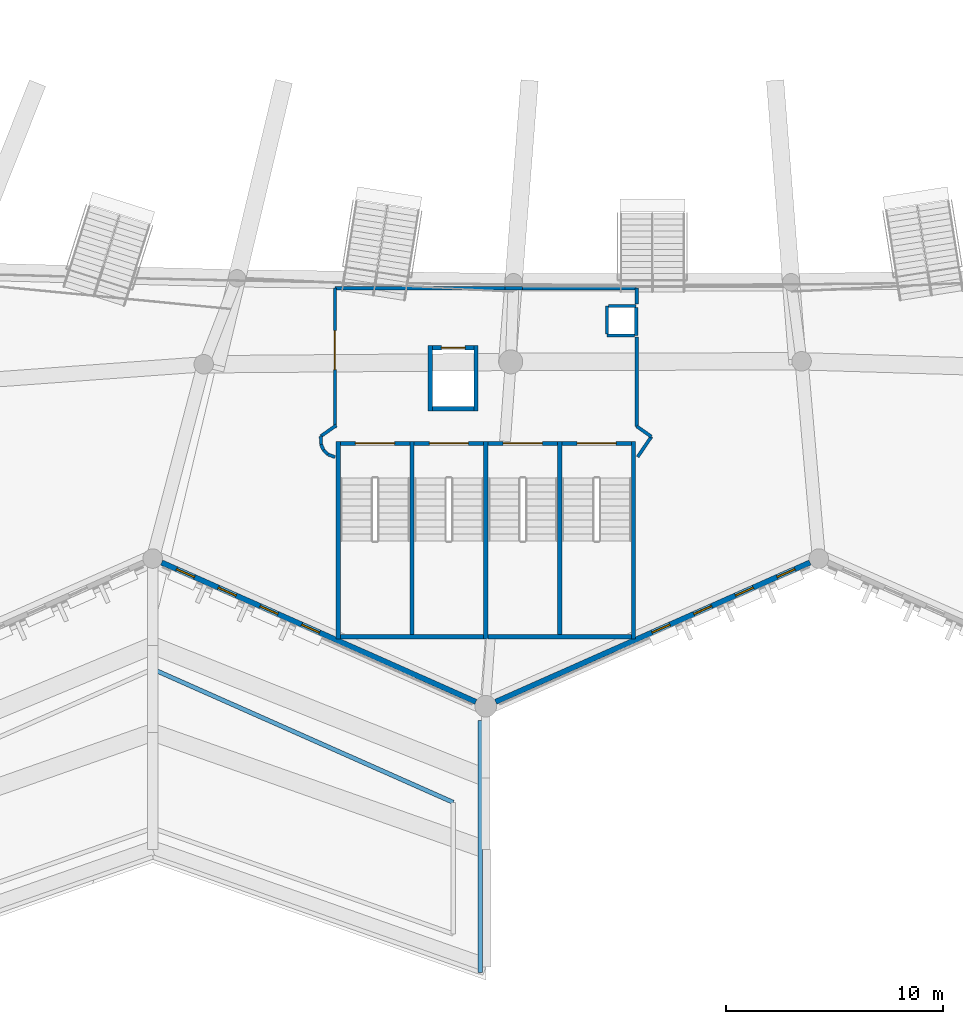
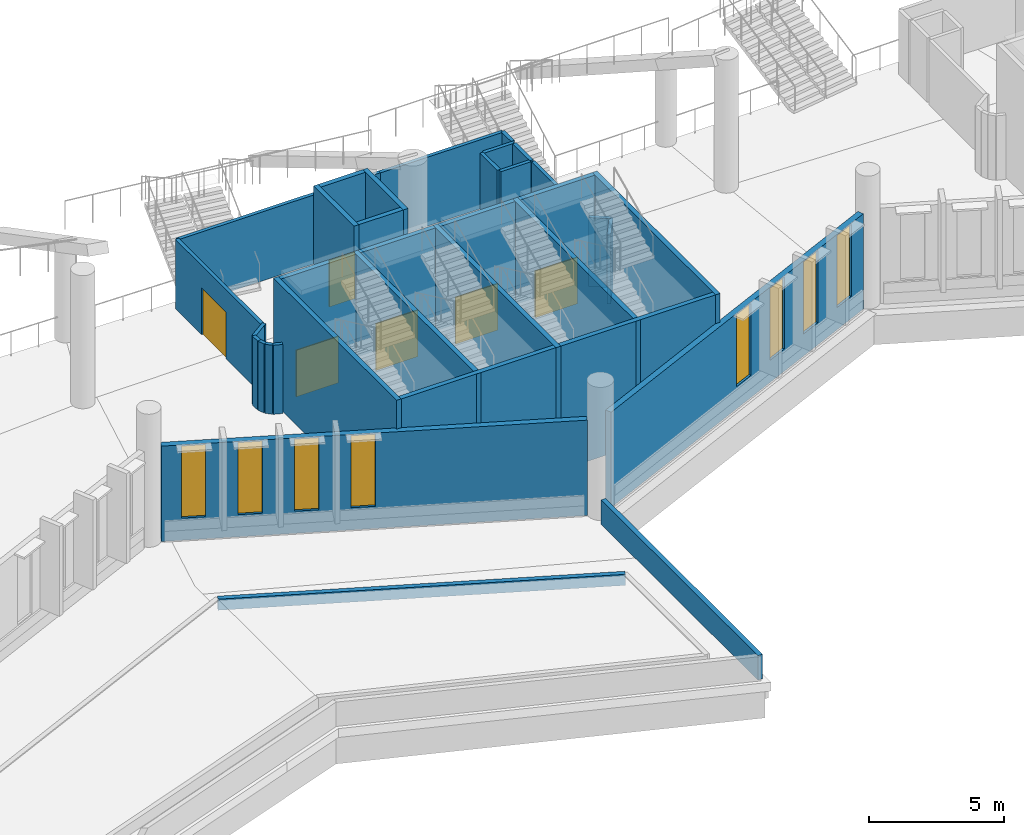
# One storey, part 46 of 173: 36 walls, 8 windows, 6 doors, 14 openings.
"""IFC4 building model written with IfcOpenShell, lengths in metres."""

from ifc_helpers import new_model, si_unit, direction, frame, frame_2d, origin, place, context, subcontext, project, spatial, rectangle, extrude, material, layer, layer_set, type_object, element, fill, save


model = new_model("IFC4")

# Units and contexts
model_context = context("Model", 3, precision=1e-05, world=origin(), true_north=direction((0.0, 1.0)))
body_context = subcontext(model_context, "Body", "Model", "MODEL_VIEW")
ifc_project = project(units=[si_unit("LENGTHUNIT", "METRE"), si_unit("AREAUNIT", "SQUARE_METRE"), si_unit("VOLUMEUNIT", "CUBIC_METRE"), si_unit("PLANEANGLEUNIT", "RADIAN"), si_unit("MASSUNIT", "GRAM", prefix="KILO")], contexts=[model_context])

# Site, building, storey
site_placement = place(None, origin())
site = spatial("IfcSite", under=ifc_project, at=site_placement, CompositionType="ELEMENT")
building_placement = place(site_placement, origin())
building = spatial("IfcBuilding", under=site, at=building_placement, Name="Meseta Stadium", CompositionType="ELEMENT")
storey_placement = place(building_placement, frame((0.0, 0.0, 18.0)))
storey = spatial("IfcBuildingStorey", under=building, at=storey_placement, Name="L03", CompositionType="ELEMENT", Elevation=18.0)

# Walls
ifc_material_1 = material(Name="Concrete C40/50", Category="concrete")
ifc_layer_1 = layer(ifc_material_1, 0.199951171875)
ifc_layer_set_1 = layer_set([ifc_layer_1], Name="Core divider wall 200")
wall_type_1 = type_object("IfcWallType", Name="Core divider wall 200", PredefinedType="SHEAR", material=ifc_layer_set_1)
for number, where, z_axis, x_axis, name in (
    (1, (-11.066650390625, -102.300048828125, 0.0), (0.0, 0.0, 1.0), (0.0, 1.0, 0.0), "Core 24 L03 stair A divider wall"),
    (2, (-4.2666015625, -102.300048828125, 0.0), (0.0, 0.0, 1.0), (0.0, 1.0, 0.0), "Core 24 L03 stair B divider wall"),
):
    element("IfcWall", number, at=place(storey_placement, frame(where, z_axis=z_axis, x_axis=x_axis)), inside=storey, type_object=wall_type_1, Name=name, PredefinedType="SHEAR", context=body_context, shape_type="SweptSolid", body=[
        extrude(rectangle(XDim=9.10009765625, YDim=0.199951171875, at=frame_2d((4.550048828125, 0.0))), origin(), (0.0, 0.0, 1.0), 5.60009765625),
    ])
ifc_material_2 = material(Name="Concrete C40/50", Category="concrete")
ifc_layer_2 = layer(ifc_material_2, 0.199951171875)
ifc_layer_set_2 = layer_set([ifc_layer_2], Name="Core shaft wall 200")
wall_type_2 = type_object("IfcWallType", Name="Core shaft wall 200", PredefinedType="SHEAR", material=ifc_layer_set_2)
for number, where, z_axis, x_axis, name in (
    (3, (-14.466796875, -102.300048828125, 0.0), (0.0, 0.0, 1.0), (0.0, 1.0, 0.0), "Core 24 L03 stair wall A-side"),
    (4, (-7.666748046875, -102.300048828125, 0.0), (0.0, 0.0, 1.0), (0.0, 1.0, 0.0), "Core 24 L03 stair wall shared"),
    (5, (-0.86669921875, -102.300048828125, 0.0), (0.0, 0.0, 1.0), (0.0, 1.0, 0.0), "Core 24 L03 stair wall B-side"),
):
    element("IfcWall", number, at=place(storey_placement, frame(where, z_axis=z_axis, x_axis=x_axis)), inside=storey, type_object=wall_type_2, Name=name, PredefinedType="SHEAR", context=body_context, shape_type="SweptSolid", body=[
        extrude(rectangle(XDim=9.10009765625, YDim=0.199951171875, at=frame_2d((4.550048828125, 0.0))), origin(), (0.0, 0.0, 1.0), 5.60009765625),
    ])
wall_1_placement = place(storey_placement, frame((-14.36669921875, -102.199951171875, 0.0), z_axis=(0.0, 0.0, 1.0), x_axis=(1.0, 0.0, 0.0)))
element("IfcWall", 6, at=wall_1_placement, inside=storey, type_object=wall_type_2, Name="Core 24 L03 stair A outer end wall", PredefinedType="SHEAR", context=body_context, shape_type="SweptSolid", body=[
    extrude(rectangle(XDim=6.60009765625, YDim=0.199951171875, at=frame_2d((3.300048828125, 0.0))), origin(), (0.0, 0.0, 1.0), 5.60009765625),
])
wall_2_placement = place(storey_placement, frame((-7.566650390625, -102.199951171875, 0.0), z_axis=(0.0, 0.0, 1.0), x_axis=(1.0, 0.0, 0.0)))
element("IfcWall", 7, at=wall_2_placement, inside=storey, type_object=wall_type_2, Name="Core 24 L03 stair B outer end wall", PredefinedType="SHEAR", context=body_context, shape_type="SweptSolid", body=[
    extrude(rectangle(XDim=6.599853515625, YDim=0.199951171875, at=frame_2d((3.2998046875, 0.0))), origin(), (0.0, 0.0, 1.0), 5.60009765625),
])

# Wall, opening, door
wall_3_placement = place(storey_placement, frame((-14.36669921875, -93.300048828125, 0.0), z_axis=(0.0, 0.0, 1.0), x_axis=(1.0, 0.0, 0.0)))
wall_3 = element("IfcWall", 8, at=wall_3_placement, inside=storey, type_object=wall_type_2, Name="Core 24 L03 stair A1 inner end wall", PredefinedType="SHEAR", context=body_context, shape_type="SweptSolid", body=[
    extrude(rectangle(XDim=3.199951171875, YDim=0.199951171875, at=frame_2d((1.60009765625, 0.0))), origin(), (0.0, 0.0, 1.0), 5.60009765625),
])
opening_1_placement = place(wall_3_placement, frame((0.699951171875, 0.0, 0.0)))
opening_1 = element("IfcOpeningElement", 9, at=opening_1_placement, cuts=wall_3, Name="Opening D1386", PredefinedType="OPENING", context=body_context, shape_type="SweptSolid", body=[
    extrude(rectangle(XDim=1.800048828125, YDim=2.10009765625, at=frame_2d((0.89990234375, 1.050048828125))), frame((0.0, 0.10986328125, 0.0), z_axis=(0.0, -1.0, 0.0), x_axis=(1.0, 0.0, 0.0)), (0.0, 0.0, 1.0), 0.219970703125),
])
ifc_material_3 = material(Name="Steel", Category="steel")
door_type_1 = type_object("IfcDoorType", Name="Stair door 1800x2100", OperationType="DOUBLE_DOOR_SINGLE_SWING", PredefinedType="DOOR", material=ifc_material_3)
door_1_placement = place(opening_1_placement, origin())
door_1 = element("IfcDoor", 10, at=door_1_placement, inside=storey, type_object=door_type_1, Name="Stair A1 door 24 L03", OperationType="DOUBLE_DOOR_SINGLE_SWING", OverallHeight=2.10009765625, OverallWidth=1.800048828125, PredefinedType="DOOR", context=body_context, shape_type="SweptSolid", body=[
    extrude(rectangle(XDim=1.800048828125, YDim=2.10009765625, at=frame_2d((0.89990234375, 1.050048828125))), frame((0.0, 0.02490234375, 0.0), z_axis=(0.0, -1.0, 0.0), x_axis=(1.0, 0.0, 0.0)), (0.0, 0.0, 1.0), 0.050048828125),
])
fill(opening_1, door_1)

wall_4_placement = place(storey_placement, frame((-10.966796875, -93.300048828125, 0.0), z_axis=(0.0, 0.0, 1.0), x_axis=(1.0, 0.0, 0.0)))
wall_4 = element("IfcWall", 11, at=wall_4_placement, inside=storey, type_object=wall_type_2, Name="Core 24 L03 stair A2 inner end wall", PredefinedType="SHEAR", context=body_context, shape_type="SweptSolid", body=[
    extrude(rectangle(XDim=3.2001953125, YDim=0.199951171875, at=frame_2d((1.60009765625, 0.0))), origin(), (0.0, 0.0, 1.0), 5.60009765625),
])
opening_2_placement = place(wall_4_placement, frame((0.699951171875, 0.0, 0.0)))
opening_2 = element("IfcOpeningElement", 12, at=opening_2_placement, cuts=wall_4, Name="Opening D1387", PredefinedType="OPENING", context=body_context, shape_type="SweptSolid", body=[
    extrude(rectangle(XDim=1.800048828125, YDim=2.10009765625, at=frame_2d((0.89990234375, 1.050048828125))), frame((0.0, 0.10986328125, 0.0), z_axis=(0.0, -1.0, 0.0), x_axis=(1.0, 0.0, 0.0)), (0.0, 0.0, 1.0), 0.219970703125),
])
door_2_placement = place(opening_2_placement, origin())
door_2 = element("IfcDoor", 13, at=door_2_placement, inside=storey, type_object=door_type_1, Name="Stair A2 door 24 L03", OperationType="DOUBLE_DOOR_SINGLE_SWING", OverallHeight=2.10009765625, OverallWidth=1.800048828125, PredefinedType="DOOR", context=body_context, shape_type="SweptSolid", body=[
    extrude(rectangle(XDim=1.800048828125, YDim=2.10009765625, at=frame_2d((0.89990234375, 1.050048828125))), frame((0.0, 0.02490234375, 0.0), z_axis=(0.0, -1.0, 0.0), x_axis=(1.0, 0.0, 0.0)), (0.0, 0.0, 1.0), 0.050048828125),
])
fill(opening_2, door_2)

wall_5_placement = place(storey_placement, frame((-7.566650390625, -93.300048828125, 0.0), z_axis=(0.0, 0.0, 1.0), x_axis=(1.0, 0.0, 0.0)))
wall_5 = element("IfcWall", 14, at=wall_5_placement, inside=storey, type_object=wall_type_2, Name="Core 24 L03 stair B1 inner end wall", PredefinedType="SHEAR", context=body_context, shape_type="SweptSolid", body=[
    extrude(rectangle(XDim=3.199951171875, YDim=0.199951171875, at=frame_2d((1.60009765625, 0.0))), origin(), (0.0, 0.0, 1.0), 5.60009765625),
])
opening_3_placement = place(wall_5_placement, frame((0.699951171875, 0.0, 0.0)))
opening_3 = element("IfcOpeningElement", 15, at=opening_3_placement, cuts=wall_5, Name="Opening D1388", PredefinedType="OPENING", context=body_context, shape_type="SweptSolid", body=[
    extrude(rectangle(XDim=1.800048828125, YDim=2.10009765625, at=frame_2d((0.89990234375, 1.050048828125))), frame((0.0, 0.10986328125, 0.0), z_axis=(0.0, -1.0, 0.0), x_axis=(1.0, 0.0, 0.0)), (0.0, 0.0, 1.0), 0.219970703125),
])
door_3_placement = place(opening_3_placement, origin())
door_3 = element("IfcDoor", 16, at=door_3_placement, inside=storey, type_object=door_type_1, Name="Stair B1 door 24 L03", OperationType="DOUBLE_DOOR_SINGLE_SWING", OverallHeight=2.10009765625, OverallWidth=1.800048828125, PredefinedType="DOOR", context=body_context, shape_type="SweptSolid", body=[
    extrude(rectangle(XDim=1.800048828125, YDim=2.10009765625, at=frame_2d((0.89990234375, 1.050048828125))), frame((0.0, 0.02490234375, 0.0), z_axis=(0.0, -1.0, 0.0), x_axis=(1.0, 0.0, 0.0)), (0.0, 0.0, 1.0), 0.050048828125),
])
fill(opening_3, door_3)

wall_6_placement = place(storey_placement, frame((-4.166748046875, -93.300048828125, 0.0), z_axis=(0.0, 0.0, 1.0), x_axis=(1.0, 0.0, 0.0)))
wall_6 = element("IfcWall", 17, at=wall_6_placement, inside=storey, type_object=wall_type_2, Name="Core 24 L03 stair B2 inner end wall", PredefinedType="SHEAR", context=body_context, shape_type="SweptSolid", body=[
    extrude(rectangle(XDim=3.199951171875, YDim=0.199951171875, at=frame_2d((1.60009765625, 0.0))), origin(), (0.0, 0.0, 1.0), 5.60009765625),
])
opening_4_placement = place(wall_6_placement, frame((0.699951171875, 0.0, 0.0)))
opening_4 = element("IfcOpeningElement", 18, at=opening_4_placement, cuts=wall_6, Name="Opening D1389", PredefinedType="OPENING", context=body_context, shape_type="SweptSolid", body=[
    extrude(rectangle(XDim=1.800048828125, YDim=2.10009765625, at=frame_2d((0.89990234375, 1.050048828125))), frame((0.0, 0.10986328125, 0.0), z_axis=(0.0, -1.0, 0.0), x_axis=(1.0, 0.0, 0.0)), (0.0, 0.0, 1.0), 0.219970703125),
])
door_4_placement = place(opening_4_placement, origin())
door_4 = element("IfcDoor", 19, at=door_4_placement, inside=storey, type_object=door_type_1, Name="Stair B2 door 24 L03", OperationType="DOUBLE_DOOR_SINGLE_SWING", OverallHeight=2.10009765625, OverallWidth=1.800048828125, PredefinedType="DOOR", context=body_context, shape_type="SweptSolid", body=[
    extrude(rectangle(XDim=1.800048828125, YDim=2.10009765625, at=frame_2d((0.89990234375, 1.050048828125))), frame((0.0, 0.02490234375, 0.0), z_axis=(0.0, -1.0, 0.0), x_axis=(1.0, 0.0, 0.0)), (0.0, 0.0, 1.0), 0.050048828125),
])
fill(opening_4, door_4)

# Walls
for number, where, z_axis, x_axis, name in (
    (20, (-10.216796875, -91.800048828125, 0.0), (0.0, 0.0, 1.0), (0.0, 1.0, 0.0), "Core 24 L03 lift shaft wall left"),
    (21, (-8.11669921875, -91.800048828125, 0.0), (0.0, 0.0, 1.0), (0.0, 1.0, 0.0), "Core 24 L03 lift shaft wall right"),
):
    element("IfcWall", number, at=place(storey_placement, frame(where, z_axis=z_axis, x_axis=x_axis)), inside=storey, type_object=wall_type_2, Name=name, PredefinedType="SHEAR", context=body_context, shape_type="SweptSolid", body=[
        extrude(rectangle(XDim=3.0, YDim=0.199951171875, at=frame_2d((1.5, 0.0))), origin(), (0.0, 0.0, 1.0), 5.60009765625),
    ])
wall_7_placement = place(storey_placement, frame((-10.11669921875, -91.699951171875, 0.0), z_axis=(0.0, 0.0, 1.0), x_axis=(1.0, 0.0, 0.0)))
element("IfcWall", 22, at=wall_7_placement, inside=storey, type_object=wall_type_2, Name="Core 24 L03 lift shaft back wall", PredefinedType="SHEAR", context=body_context, shape_type="SweptSolid", body=[
    extrude(rectangle(XDim=1.89990234375, YDim=0.199951171875, at=frame_2d((0.949951171875, 0.0))), origin(), (0.0, 0.0, 1.0), 5.60009765625),
])

# Wall, opening, door
wall_8_placement = place(storey_placement, frame((-10.11669921875, -88.89990234375, 0.0), z_axis=(0.0, 0.0, 1.0), x_axis=(1.0, 0.0, 0.0)))
wall_8 = element("IfcWall", 23, at=wall_8_placement, inside=storey, type_object=wall_type_2, Name="Core 24 L03 lift shaft front wall", PredefinedType="SHEAR", context=body_context, shape_type="SweptSolid", body=[
    extrude(rectangle(XDim=1.89990234375, YDim=0.199951171875, at=frame_2d((0.949951171875, 0.0))), origin(), (0.0, 0.0, 1.0), 5.60009765625),
])
opening_5_placement = place(wall_8_placement, frame((0.39990234375, 0.0, 0.0)))
opening_5 = element("IfcOpeningElement", 24, at=opening_5_placement, cuts=wall_8, Name="Opening LD133", PredefinedType="OPENING", context=body_context, shape_type="SweptSolid", body=[
    extrude(rectangle(XDim=1.10009765625, YDim=2.10009765625, at=frame_2d((0.550048828125, 1.050048828125))), frame((0.0, 0.10986328125, 0.0), z_axis=(0.0, -1.0, 0.0), x_axis=(1.0, 0.0, 0.0)), (0.0, 0.0, 1.0), 0.219970703125),
])
ifc_material_4 = material(Name="Steel", Category="steel")
door_type_2 = type_object("IfcDoorType", Name="Lift landing door 1100x2100", OperationType="SLIDING_TO_LEFT", PredefinedType="DOOR", material=ifc_material_4)
door_5_placement = place(opening_5_placement, origin())
door_5 = element("IfcDoor", 25, at=door_5_placement, inside=storey, type_object=door_type_2, Name="Lift landing door LD133", OperationType="SLIDING_TO_LEFT", OverallHeight=2.10009765625, OverallWidth=1.10009765625, PredefinedType="DOOR", context=body_context, shape_type="SweptSolid", body=[
    extrude(rectangle(XDim=1.10009765625, YDim=2.10009765625, at=frame_2d((0.550048828125, 1.050048828125))), frame((0.0, 0.02490234375, 0.0), z_axis=(0.0, -1.0, 0.0), x_axis=(1.0, 0.0, 0.0)), (0.0, 0.0, 1.0), 0.050048828125),
])
fill(opening_5, door_5)

# Walls
ifc_material_5 = material(Name="Masonry blockwork", Category="masonry")
ifc_layer_3 = layer(ifc_material_5, 0.14990234375)
ifc_layer_set_3 = layer_set([ifc_layer_3], Name="Partition 150")
wall_type_3 = type_object("IfcWallType", Name="Partition 150", PredefinedType="PARTITIONING", material=ifc_layer_set_3)
wall_9_placement = place(storey_placement, frame((-2.091796875, -88.324951171875, 0.0), z_axis=(0.0, 0.0, 1.0), x_axis=(1.0, 0.0, 0.0)))
element("IfcWall", 26, at=wall_9_placement, inside=storey, type_object=wall_type_3, Name="Pressurisation shaft wall L03 core 24", PredefinedType="PARTITIONING", context=body_context, shape_type="SweptSolid", body=[
    extrude(rectangle(XDim=1.275146484375, YDim=0.14990234375, at=frame_2d((0.6376953125, 0.0))), origin(), (0.0, 0.0, 1.0), 3.114990234375),
])
for number, where, z_axis, x_axis, name in (
    (27, (-0.74169921875, -88.324951171875, 0.0), (0.0, 0.0, 1.0), (0.0, 1.0, 0.0), "Pressurisation shaft wall L03 core 24"),
    (28, (-0.74169921875, -86.97509765625, 0.0), (0.0, 0.0, 1.0), (-1.0, 0.0, 0.0), "Pressurisation shaft wall L03 core 24"),
    (29, (-2.091796875, -86.97509765625, 0.0), (0.0, 0.0, 1.0), (0.0, -1.0, 0.0), "Pressurisation shaft wall L03 core 24"),
):
    element("IfcWall", number, at=place(storey_placement, frame(where, z_axis=z_axis, x_axis=x_axis)), inside=storey, type_object=wall_type_3, Name=name, PredefinedType="PARTITIONING", context=body_context, shape_type="SweptSolid", body=[
        extrude(rectangle(XDim=1.27490234375, YDim=0.14990234375, at=frame_2d((0.637451171875, 0.0))), origin(), (0.0, 0.0, 1.0), 3.114990234375),
    ])
wall_10_placement = place(storey_placement, frame((-14.547119140625, -92.4638671875, 0.0), z_axis=(0.0, 0.0, 1.0), x_axis=(-0.817670329912, -0.57568674779, 0.0)))
element("IfcWall", 30, at=wall_10_placement, inside=storey, type_object=wall_type_3, Name="Stair vestibule wall L03 core 24", PredefinedType="PARTITIONING", context=body_context, shape_type="SweptSolid", body=[
    extrude(rectangle(XDim=0.875732421875, YDim=0.14990234375, at=frame_2d((0.43798828125, 0.0))), origin(), (0.0, 0.0, 1.0), 3.114990234375),
])
wall_11_placement = place(storey_placement, frame((-15.26318359375, -92.968017578125, 0.0), z_axis=(0.0, 0.0, 1.0), x_axis=(0.039007374993, -0.999238922729, 0.0)))
element("IfcWall", 31, at=wall_11_placement, inside=storey, type_object=wall_type_3, Name="Stair vestibule wall L03 core 24", PredefinedType="PARTITIONING", context=body_context, shape_type="SweptSolid", body=[
    extrude(rectangle(XDim=0.37548828125, YDim=0.14990234375, at=frame_2d((0.187744140625, 0.0))), origin(), (0.0, 0.0, 1.0), 3.114990234375),
])
wall_12_placement = place(storey_placement, frame((-15.24853515625, -93.34326171875, 0.0), z_axis=(0.0, 0.0, 1.0), x_axis=(0.382275228123, -0.924048510611, 0.0)))
element("IfcWall", 32, at=wall_12_placement, inside=storey, type_object=wall_type_3, Name="Stair vestibule wall L03 core 24", PredefinedType="PARTITIONING", context=body_context, shape_type="SweptSolid", body=[
    extrude(rectangle(XDim=0.28173828125, YDim=0.14990234375, at=frame_2d((0.140869140625, 0.0))), origin(), (0.0, 0.0, 1.0), 3.114990234375),
])
wall_13_placement = place(storey_placement, frame((-15.140869140625, -93.603515625, 0.0), z_axis=(0.0, 0.0, 1.0), x_axis=(0.707106781187, -0.707106781187, 0.0)))
element("IfcWall", 33, at=wall_13_placement, inside=storey, type_object=wall_type_3, Name="Stair vestibule wall L03 core 24", PredefinedType="PARTITIONING", context=body_context, shape_type="SweptSolid", body=[
    extrude(rectangle(XDim=0.28515625, YDim=0.14990234375, at=frame_2d((0.142578125, 0.0))), origin(), (0.0, 0.0, 1.0), 3.114990234375),
])
wall_14_placement = place(storey_placement, frame((-14.939208984375, -93.80517578125, 0.0), z_axis=(0.0, 0.0, 1.0), x_axis=(0.937897537761, -0.346912393353, 0.0)))
element("IfcWall", 34, at=wall_14_placement, inside=storey, type_object=wall_type_3, Name="Stair vestibule wall L03 core 24", PredefinedType="PARTITIONING", context=body_context, shape_type="SweptSolid", body=[
    extrude(rectangle(XDim=0.356201171875, YDim=0.14990234375, at=frame_2d((0.17822265625, 0.0))), origin(), (0.0, 0.0, 1.0), 3.114990234375),
])
wall_15_placement = place(storey_placement, frame((-0.677001953125, -93.919677734375, 0.0), z_axis=(0.0, 0.0, 1.0), x_axis=(0.561972470497, 0.827155935966, 0.0)))
element("IfcWall", 35, at=wall_15_placement, inside=storey, type_object=wall_type_3, Name="Stair vestibule wall L03 core 24", PredefinedType="PARTITIONING", context=body_context, shape_type="SweptSolid", body=[
    extrude(rectangle(XDim=1.127685546875, YDim=0.14990234375, at=frame_2d((0.56396484375, 0.0))), origin(), (0.0, 0.0, 1.0), 3.114990234375),
])
wall_16_placement = place(storey_placement, frame((-0.043212890625, -92.98681640625, 0.0), z_axis=(0.0, 0.0, 1.0), x_axis=(-0.81774999294, 0.575573582652, 0.0)))
element("IfcWall", 36, at=wall_16_placement, inside=storey, type_object=wall_type_3, Name="Stair vestibule wall L03 core 24", PredefinedType="PARTITIONING", context=body_context, shape_type="SweptSolid", body=[
    extrude(rectangle(XDim=0.82958984375, YDim=0.14990234375, at=frame_2d((0.414794921875, 0.0))), origin(), (0.0, 0.0, 1.0), 3.114990234375),
])
wall_17_placement = place(storey_placement, frame((-0.7216796875, -92.50927734375, 0.0), z_axis=(0.0, 0.0, 1.0), x_axis=(0.0, 1.0, 0.0)))
element("IfcWall", 37, at=wall_17_placement, inside=storey, type_object=wall_type_3, Name="Stair vestibule wall L03 core 24", PredefinedType="PARTITIONING", context=body_context, shape_type="SweptSolid", body=[
    extrude(rectangle(XDim=4.103515625, YDim=0.14990234375, at=frame_2d((2.0517578125, 0.0))), origin(), (0.0, 0.0, 1.0), 3.114990234375),
])
wall_18_placement = place(storey_placement, frame((-0.7216796875, -86.889892578125, 0.0), z_axis=(0.0, 0.0, 1.0), x_axis=(0.0, 1.0, 0.0)))
element("IfcWall", 38, at=wall_18_placement, inside=storey, type_object=wall_type_3, Name="Stair vestibule wall L03 core 24", PredefinedType="PARTITIONING", context=body_context, shape_type="SweptSolid", body=[
    extrude(rectangle(XDim=0.73486328125, YDim=0.14990234375, at=frame_2d((0.367431640625, 0.0))), origin(), (0.0, 0.0, 1.0), 3.114990234375),
])
wall_19_placement = place(storey_placement, frame((-0.7216796875, -86.155029296875, 0.0), z_axis=(0.0, 0.0, 1.0), x_axis=(-1.0, 0.0, 0.0)))
element("IfcWall", 39, at=wall_19_placement, inside=storey, type_object=wall_type_3, Name="Stair vestibule wall L03 core 24", PredefinedType="PARTITIONING", context=body_context, shape_type="SweptSolid", body=[
    extrude(rectangle(XDim=5.263427734375, YDim=0.14990234375, at=frame_2d((2.6318359375, 0.0))), origin(), (0.0, 0.0, 1.0), 3.110107421875),
])
wall_20_placement = place(storey_placement, frame((-6.7890625, -86.155029296875, 0.0), z_axis=(0.0, 0.0, 1.0), x_axis=(-1.0, 0.0, 0.0)))
element("IfcWall", 40, at=wall_20_placement, inside=storey, type_object=wall_type_3, Name="Stair vestibule wall L03 core 24", PredefinedType="PARTITIONING", context=body_context, shape_type="SweptSolid", body=[
    extrude(rectangle(XDim=7.82275390625, YDim=0.14990234375, at=frame_2d((3.911376953125, 0.0))), origin(), (0.0, 0.0, 1.0), 3.110107421875),
])

# Wall, opening, door
wall_21_placement = place(storey_placement, frame((-14.61181640625, -86.155029296875, 0.0), z_axis=(0.0, 0.0, 1.0), x_axis=(0.0, -1.0, 0.0)))
wall_21 = element("IfcWall", 41, at=wall_21_placement, inside=storey, type_object=wall_type_3, Name="Stair vestibule wall L03 core 24", PredefinedType="PARTITIONING", context=body_context, shape_type="SweptSolid", body=[
    extrude(rectangle(XDim=6.43310546875, YDim=0.14990234375, at=frame_2d((3.216552734375, 0.0))), origin(), (0.0, 0.0, 1.0), 3.114990234375),
])
opening_6_placement = place(wall_21_placement, frame((1.949951171875, 0.0, 0.0)))
opening_6 = element("IfcOpeningElement", 42, at=opening_6_placement, cuts=wall_21, Name="Opening D1385", PredefinedType="OPENING", context=body_context, shape_type="SweptSolid", body=[
    extrude(rectangle(XDim=1.800048828125, YDim=2.10009765625, at=frame_2d((0.89990234375, 1.050048828125))), frame((0.0, 0.0849609375, 0.0), z_axis=(0.0, -1.0, 0.0), x_axis=(1.0, 0.0, 0.0)), (0.0, 0.0, 1.0), 0.169921875),
])
ifc_material_6 = material(Name="Steel", Category="steel")
door_type_3 = type_object("IfcDoorType", Name="Fire double door 1800x2100 EI2 60", OperationType="DOUBLE_DOOR_SINGLE_SWING", PredefinedType="DOOR", material=ifc_material_6)
door_6_placement = place(opening_6_placement, origin())
door_6 = element("IfcDoor", 43, at=door_6_placement, inside=storey, type_object=door_type_3, Name="Stair vestibule door L03 core 24", OperationType="DOUBLE_DOOR_SINGLE_SWING", OverallHeight=2.10009765625, OverallWidth=1.800048828125, PredefinedType="DOOR", context=body_context, shape_type="SweptSolid", body=[
    extrude(rectangle(XDim=1.800048828125, YDim=2.10009765625, at=frame_2d((0.89990234375, 1.050048828125))), frame((0.0, 0.02490234375, 0.0), z_axis=(0.0, -1.0, 0.0), x_axis=(1.0, 0.0, 0.0)), (0.0, 0.0, 1.0), 0.050048828125),
])
fill(opening_6, door_6)

# Walls
wall_22_placement = place(storey_placement, frame((-5.985107421875, -86.155029296875, 0.0), z_axis=(0.0, 0.0, 1.0), x_axis=(-1.0, 0.0, 0.0)))
element("IfcWall", 44, at=wall_22_placement, inside=storey, type_object=wall_type_3, Name="Stair vestibule wall L03 core 24", PredefinedType="PARTITIONING", context=body_context, shape_type="SweptSolid", body=[
    extrude(rectangle(XDim=0.803955078125, YDim=0.14990234375, at=frame_2d((0.40185546875, 0.0))), origin(), (0.0, 0.0, 1.0), 3.114990234375),
])
ifc_material_7 = material(Name="Precast concrete C40/50", Category="concrete")
ifc_layer_4 = layer(ifc_material_7, 0.199951171875)
ifc_layer_set_4 = layer_set([ifc_layer_4], Name="Planter kerb 200")
wall_type_4 = type_object("IfcWallType", Name="Planter kerb 200", PredefinedType="USERDEFINED", material=ifc_layer_set_4)
wall_23_placement = place(storey_placement, frame((-23.0, -103.686767578125, 0.0), z_axis=(0.0, 0.0, 1.0), x_axis=(0.914138578333, -0.405401849532, 0.0)))
element("IfcWall", 45, at=wall_23_placement, inside=storey, type_object=wall_type_4, Name="Planter kerb 6.1.6", ObjectType="PLANTER", PredefinedType="USERDEFINED", context=body_context, shape_type="SweptSolid", body=[
    extrude(rectangle(XDim=15.132568359375, YDim=0.199951171875, at=frame_2d((7.56640625, 0.0))), origin(), (0.0, 0.0, 1.0), 0.5),
])

# Wall, openings, windows
ifc_material_8 = material(Name="White precast concrete C40/50", Category="concrete")
ifc_layer_5 = layer(ifc_material_8, 0.25)
ifc_layer_set_5 = layer_set([ifc_layer_5], Name="Pleated panel wall 250")
wall_type_5 = type_object("IfcWallType", Name="Pleated panel wall 250", PredefinedType="SOLIDWALL", material=ifc_layer_set_5)
wall_24_placement = place(storey_placement, frame((-8.123291015625, -105.197509765625, 0.0), z_axis=(0.0, 0.0, 1.0), x_axis=(-0.914138897099, 0.405401130748, 0.0)))
wall_24 = element("IfcWall", 46, at=wall_24_placement, inside=storey, type_object=wall_type_5, Name="Pleated facade panel L03 F45", PredefinedType="SOLIDWALL", context=body_context, shape_type="SweptSolid", body=[
    extrude(rectangle(XDim=15.824462890625, YDim=0.25, at=frame_2d((7.912109375, 0.0))), origin(), (0.0, 0.0, 1.0), 4.300048828125),
])
opening_7_placement = place(wall_24_placement, frame((14.174072265625, 0.0, 1.0)))
opening_7 = element("IfcOpeningElement", 47, at=opening_7_placement, cuts=wall_24, Name="Opening W101", PredefinedType="OPENING", context=body_context, shape_type="SweptSolid", body=[
    extrude(rectangle(XDim=0.89990234375, YDim=3.25, at=frame_2d((0.449951171875, 1.625))), frame((0.0, 0.135009765625, 0.0), z_axis=(0.0, -1.0, 0.0), x_axis=(1.0, 0.0, 0.0)), (0.0, 0.0, 1.0), 0.27001953125),
])
opening_8_placement = place(wall_24_placement, frame((12.073974609375, 0.0, 1.0)))
opening_8 = element("IfcOpeningElement", 48, at=opening_8_placement, cuts=wall_24, Name="Opening W102", PredefinedType="OPENING", context=body_context, shape_type="SweptSolid", body=[
    extrude(rectangle(XDim=0.89990234375, YDim=3.25, at=frame_2d((0.449951171875, 1.625))), frame((0.0, 0.135009765625, 0.0), z_axis=(0.0, -1.0, 0.0), x_axis=(1.0, 0.0, 0.0)), (0.0, 0.0, 1.0), 0.27001953125),
])
opening_9_placement = place(wall_24_placement, frame((9.973876953125, 0.0, 1.0)))
opening_9 = element("IfcOpeningElement", 49, at=opening_9_placement, cuts=wall_24, Name="Opening W103", PredefinedType="OPENING", context=body_context, shape_type="SweptSolid", body=[
    extrude(rectangle(XDim=0.89990234375, YDim=3.25, at=frame_2d((0.449951171875, 1.625))), frame((0.0, 0.135009765625, 0.0), z_axis=(0.0, -1.0, 0.0), x_axis=(1.0, 0.0, 0.0)), (0.0, 0.0, 1.0), 0.27001953125),
])
opening_10_placement = place(wall_24_placement, frame((7.8740234375, 0.0, 1.0)))
opening_10 = element("IfcOpeningElement", 50, at=opening_10_placement, cuts=wall_24, Name="Opening W104", PredefinedType="OPENING", context=body_context, shape_type="SweptSolid", body=[
    extrude(rectangle(XDim=0.89990234375, YDim=3.25, at=frame_2d((0.449951171875, 1.625))), frame((0.0, 0.135009765625, 0.0), z_axis=(0.0, -1.0, 0.0), x_axis=(1.0, 0.0, 0.0)), (0.0, 0.0, 1.0), 0.27001953125),
])
ifc_material_9 = material(Name="Aluminium", Category="aluminium")
window_type = type_object("IfcWindowType", Name="Slot window 900x3250", PartitioningType="SINGLE_PANEL", PredefinedType="WINDOW", material=ifc_material_9)
window_1_placement = place(opening_7_placement, origin())
window_1 = element("IfcWindow", 51, at=window_1_placement, inside=storey, type_object=window_type, Name="Slot window L03 F45.1", OverallHeight=3.25, OverallWidth=0.89990234375, PartitioningType="SINGLE_PANEL", PredefinedType="WINDOW", context=body_context, shape_type="SweptSolid", body=[
    extrude(rectangle(XDim=0.89990234375, YDim=3.25, at=frame_2d((0.449951171875, 1.625))), frame((0.0, 0.030029296875, 0.0), z_axis=(0.0, -1.0, 0.0), x_axis=(1.0, 0.0, 0.0)), (0.0, 0.0, 1.0), 0.06005859375),
])
fill(opening_7, window_1)
window_2_placement = place(opening_8_placement, origin())
window_2 = element("IfcWindow", 52, at=window_2_placement, inside=storey, type_object=window_type, Name="Slot window L03 F45.2", OverallHeight=3.25, OverallWidth=0.89990234375, PartitioningType="SINGLE_PANEL", PredefinedType="WINDOW", context=body_context, shape_type="SweptSolid", body=[
    extrude(rectangle(XDim=0.89990234375, YDim=3.25, at=frame_2d((0.449951171875, 1.625))), frame((0.0, 0.030029296875, 0.0), z_axis=(0.0, -1.0, 0.0), x_axis=(1.0, 0.0, 0.0)), (0.0, 0.0, 1.0), 0.06005859375),
])
fill(opening_8, window_2)
window_3_placement = place(opening_9_placement, origin())
window_3 = element("IfcWindow", 53, at=window_3_placement, inside=storey, type_object=window_type, Name="Slot window L03 F45.3", OverallHeight=3.25, OverallWidth=0.89990234375, PartitioningType="SINGLE_PANEL", PredefinedType="WINDOW", context=body_context, shape_type="SweptSolid", body=[
    extrude(rectangle(XDim=0.89990234375, YDim=3.25, at=frame_2d((0.449951171875, 1.625))), frame((0.0, 0.030029296875, 0.0), z_axis=(0.0, -1.0, 0.0), x_axis=(1.0, 0.0, 0.0)), (0.0, 0.0, 1.0), 0.06005859375),
])
fill(opening_9, window_3)
window_4_placement = place(opening_10_placement, origin())
window_4 = element("IfcWindow", 54, at=window_4_placement, inside=storey, type_object=window_type, Name="Slot window L03 F45.4", OverallHeight=3.25, OverallWidth=0.89990234375, PartitioningType="SINGLE_PANEL", PredefinedType="WINDOW", context=body_context, shape_type="SweptSolid", body=[
    extrude(rectangle(XDim=0.89990234375, YDim=3.25, at=frame_2d((0.449951171875, 1.625))), frame((0.0, 0.030029296875, 0.0), z_axis=(0.0, -1.0, 0.0), x_axis=(1.0, 0.0, 0.0)), (0.0, 0.0, 1.0), 0.06005859375),
])
fill(opening_10, window_4)

wall_25_placement = place(storey_placement, frame((7.255615234375, -98.7822265625, 0.0), z_axis=(0.0, 0.0, 1.0), x_axis=(-0.914136361455, -0.405406848322, 0.0)))
wall_25 = element("IfcWall", 55, at=wall_25_placement, inside=storey, type_object=wall_type_5, Name="Pleated facade panel L03 F46", PredefinedType="SOLIDWALL", context=body_context, shape_type="SweptSolid", body=[
    extrude(rectangle(XDim=15.82421875, YDim=0.25, at=frame_2d((7.912109375, 0.0))), origin(), (0.0, 0.0, 1.0), 4.300048828125),
])
opening_11_placement = place(wall_25_placement, frame((0.75048828125, 0.0, 1.0)))
opening_11 = element("IfcOpeningElement", 56, at=opening_11_placement, cuts=wall_25, Name="Opening W112", PredefinedType="OPENING", context=body_context, shape_type="SweptSolid", body=[
    extrude(rectangle(XDim=0.89990234375, YDim=3.25, at=frame_2d((0.449951171875, 1.625))), frame((0.0, 0.135009765625, 0.0), z_axis=(0.0, -1.0, 0.0), x_axis=(1.0, 0.0, 0.0)), (0.0, 0.0, 1.0), 0.27001953125),
])
opening_12_placement = place(wall_25_placement, frame((2.850341796875, 0.0, 1.0)))
opening_12 = element("IfcOpeningElement", 57, at=opening_12_placement, cuts=wall_25, Name="Opening W111", PredefinedType="OPENING", context=body_context, shape_type="SweptSolid", body=[
    extrude(rectangle(XDim=0.89990234375, YDim=3.25, at=frame_2d((0.449951171875, 1.625))), frame((0.0, 0.135009765625, 0.0), z_axis=(0.0, -1.0, 0.0), x_axis=(1.0, 0.0, 0.0)), (0.0, 0.0, 1.0), 0.27001953125),
])
opening_13_placement = place(wall_25_placement, frame((4.950439453125, 0.0, 1.0)))
opening_13 = element("IfcOpeningElement", 58, at=opening_13_placement, cuts=wall_25, Name="Opening W110", PredefinedType="OPENING", context=body_context, shape_type="SweptSolid", body=[
    extrude(rectangle(XDim=0.89990234375, YDim=3.25, at=frame_2d((0.449951171875, 1.625))), frame((0.0, 0.135009765625, 0.0), z_axis=(0.0, -1.0, 0.0), x_axis=(1.0, 0.0, 0.0)), (0.0, 0.0, 1.0), 0.27001953125),
])
opening_14_placement = place(wall_25_placement, frame((7.05029296875, 0.0, 1.0)))
opening_14 = element("IfcOpeningElement", 59, at=opening_14_placement, cuts=wall_25, Name="Opening W109", PredefinedType="OPENING", context=body_context, shape_type="SweptSolid", body=[
    extrude(rectangle(XDim=0.89990234375, YDim=3.25, at=frame_2d((0.449951171875, 1.625))), frame((0.0, 0.135009765625, 0.0), z_axis=(0.0, -1.0, 0.0), x_axis=(1.0, 0.0, 0.0)), (0.0, 0.0, 1.0), 0.27001953125),
])
window_5_placement = place(opening_11_placement, origin())
window_5 = element("IfcWindow", 60, at=window_5_placement, inside=storey, type_object=window_type, Name="Slot window L03 F46.1", OverallHeight=3.25, OverallWidth=0.89990234375, PartitioningType="SINGLE_PANEL", PredefinedType="WINDOW", context=body_context, shape_type="SweptSolid", body=[
    extrude(rectangle(XDim=0.89990234375, YDim=3.25, at=frame_2d((0.449951171875, 1.625))), frame((0.0, 0.030029296875, 0.0), z_axis=(0.0, -1.0, 0.0), x_axis=(1.0, 0.0, 0.0)), (0.0, 0.0, 1.0), 0.06005859375),
])
fill(opening_11, window_5)
window_6_placement = place(opening_12_placement, origin())
window_6 = element("IfcWindow", 61, at=window_6_placement, inside=storey, type_object=window_type, Name="Slot window L03 F46.2", OverallHeight=3.25, OverallWidth=0.89990234375, PartitioningType="SINGLE_PANEL", PredefinedType="WINDOW", context=body_context, shape_type="SweptSolid", body=[
    extrude(rectangle(XDim=0.89990234375, YDim=3.25, at=frame_2d((0.449951171875, 1.625))), frame((0.0, 0.030029296875, 0.0), z_axis=(0.0, -1.0, 0.0), x_axis=(1.0, 0.0, 0.0)), (0.0, 0.0, 1.0), 0.06005859375),
])
fill(opening_12, window_6)
window_7_placement = place(opening_13_placement, origin())
window_7 = element("IfcWindow", 62, at=window_7_placement, inside=storey, type_object=window_type, Name="Slot window L03 F46.3", OverallHeight=3.25, OverallWidth=0.89990234375, PartitioningType="SINGLE_PANEL", PredefinedType="WINDOW", context=body_context, shape_type="SweptSolid", body=[
    extrude(rectangle(XDim=0.89990234375, YDim=3.25, at=frame_2d((0.449951171875, 1.625))), frame((0.0, 0.030029296875, 0.0), z_axis=(0.0, -1.0, 0.0), x_axis=(1.0, 0.0, 0.0)), (0.0, 0.0, 1.0), 0.06005859375),
])
fill(opening_13, window_7)
window_8_placement = place(opening_14_placement, origin())
window_8 = element("IfcWindow", 63, at=window_8_placement, inside=storey, type_object=window_type, Name="Slot window L03 F46.4", OverallHeight=3.25, OverallWidth=0.89990234375, PartitioningType="SINGLE_PANEL", PredefinedType="WINDOW", context=body_context, shape_type="SweptSolid", body=[
    extrude(rectangle(XDim=0.89990234375, YDim=3.25, at=frame_2d((0.449951171875, 1.625))), frame((0.0, 0.030029296875, 0.0), z_axis=(0.0, -1.0, 0.0), x_axis=(1.0, 0.0, 0.0)), (0.0, 0.0, 1.0), 0.06005859375),
])
fill(opening_14, window_8)

# Wall
ifc_material_10 = material(Name="Concrete C40/50", Category="concrete")
ifc_layer_6 = layer(ifc_material_10, 0.199951171875)
ifc_layer_set_6 = layer_set([ifc_layer_6], Name="Roof parapet 200")
wall_type_6 = type_object("IfcWallType", Name="Roof parapet 200", PredefinedType="PARAPET", material=ifc_layer_set_6)
wall_26_placement = place(storey_placement, frame((-7.916748046875, -106.054931640625, 0.0), z_axis=(0.0, 0.0, 1.0), x_axis=(0.0, -1.0, 0.0)))
element("IfcWall", 64, at=wall_26_placement, inside=storey, type_object=wall_type_6, Name="Roof parapet 6.39.1", PredefinedType="PARAPET", context=body_context, shape_type="SweptSolid", body=[
    extrude(rectangle(XDim=11.592041015625, YDim=0.199951171875, at=frame_2d((5.7958984375, 0.0))), origin(), (0.0, 0.0, 1.0), 1.10009765625),
])

save(model, "model.ifc")
